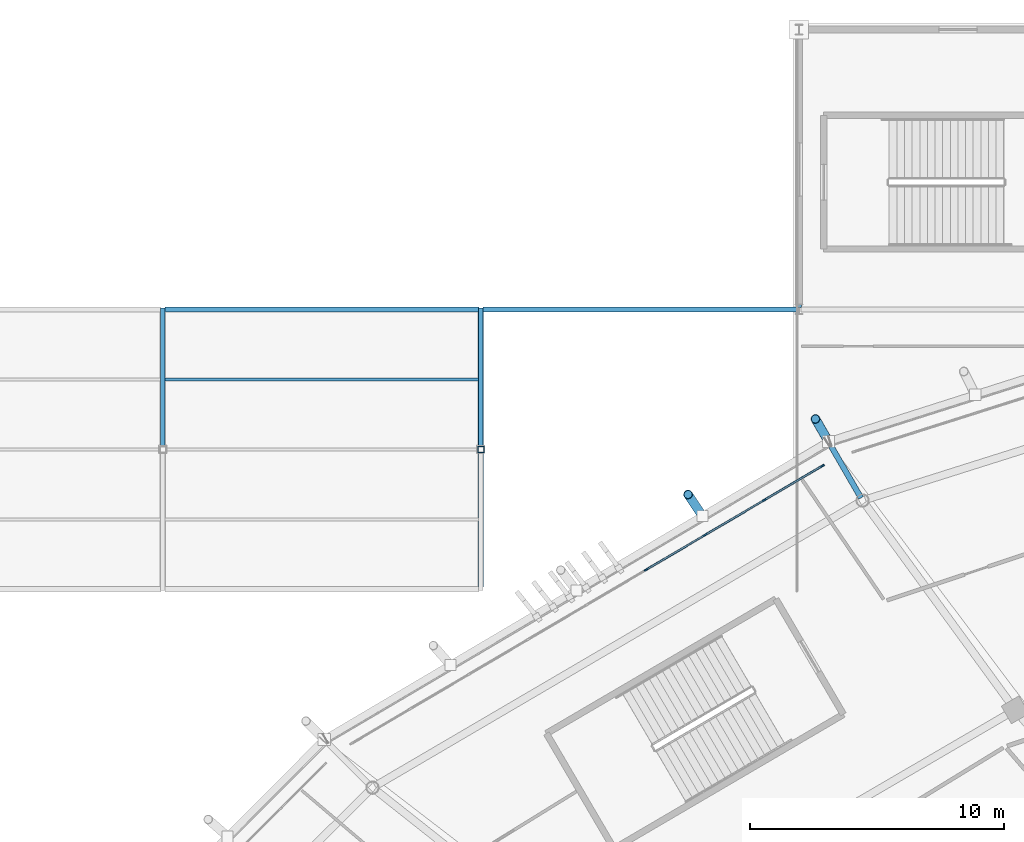
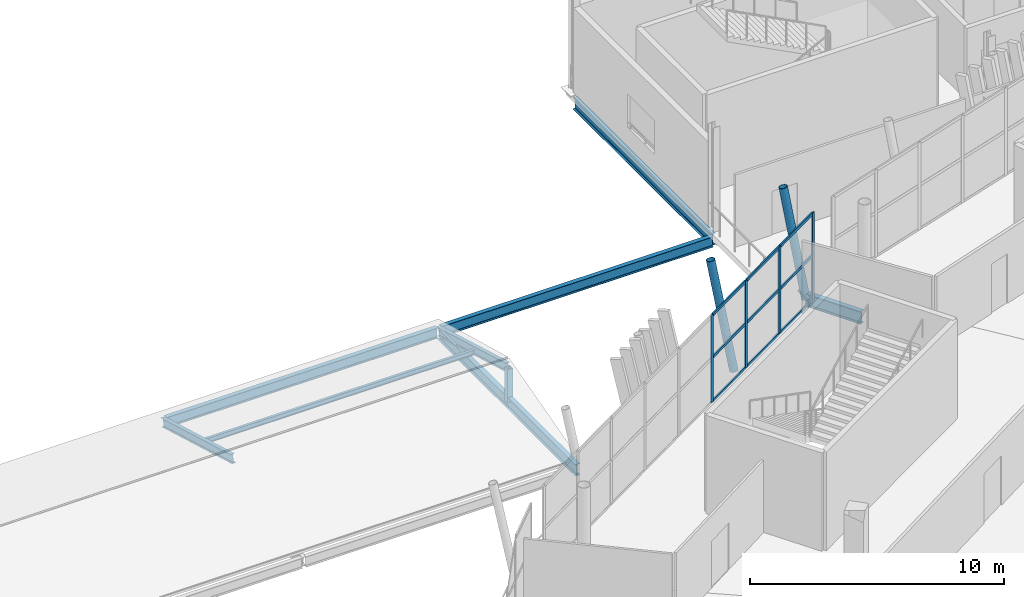
# One storey, part 72 of 179: 19 members, 5 beams, 1 element without a shape of its own.
"""IFC4 building model written with IfcOpenShell, lengths in metres."""

from ifc_helpers import new_model, si_unit, direction, frame, origin, origin_2d, place, context, subcontext, project, spatial, rectangle, hollow_rectangle, hollow_circle, i_section, extrude, material, material_profile, profile_set, type_object, element, aggregate, save


model = new_model("IFC4")

# Units and contexts
model_context = context("Model", 3, precision=1e-05, world=origin(), true_north=direction((0.0, 1.0)))
body_context = subcontext(model_context, "Body", "Model", "MODEL_VIEW")
ifc_project = project(units=[si_unit("LENGTHUNIT", "METRE"), si_unit("AREAUNIT", "SQUARE_METRE"), si_unit("VOLUMEUNIT", "CUBIC_METRE"), si_unit("PLANEANGLEUNIT", "RADIAN"), si_unit("MASSUNIT", "GRAM", prefix="KILO")], contexts=[model_context])

# Site, building, storey
site_placement = place(None, origin())
site = spatial("IfcSite", under=ifc_project, at=site_placement, CompositionType="ELEMENT")
building_placement = place(site_placement, origin())
building = spatial("IfcBuilding", under=site, at=building_placement, Name="Zlatoyarsky Gate Stadium", CompositionType="ELEMENT")
storey_placement = place(building_placement, frame((0.0, 0.0, 10.60009765625)))
storey = spatial("IfcBuildingStorey", under=building, at=storey_placement, Name="L02", CompositionType="ELEMENT", Elevation=10.60009765625)

# Curtain wall, members
ifc_material_1 = material(Name="Thermally broken anodised aluminium curtain wall", Category="aluminium")
curtain_wall_type = type_object("IfcCurtainWallType", Name="UNITISED HOSPITALITY GLAZING L02", PredefinedType="USERDEFINED", material=ifc_material_1)
curtain_wall_placement = place(storey_placement, origin())
curtain_wall = element("IfcCurtainWall", 1, at=curtain_wall_placement, inside=storey, type_object=curtain_wall_type, Name="Curtain wall CW-L02-08", ObjectType="UNITISED GLAZING", PredefinedType="USERDEFINED")
ifc_material_2 = material(Name="Anodised aluminium 6063-T6", Category="aluminium")
ifc_material_profile_1 = material_profile(ifc_material_2, rectangle(XDim=0.06494140625, YDim=0.159912109375, at=origin_2d()), Name="ALU 65X160")
ifc_profile_set_1 = profile_set([ifc_material_profile_1], Name="Anodised aluminium 6063-T6")
member_type_1 = type_object("IfcMemberType", Name="ALUMINIUM MULLION 65X160", PredefinedType="MULLION", material=ifc_profile_set_1)
member_1_placement = place(storey_placement, frame((62.92431640625, 142.852294921875, 0.0), z_axis=(0.0, 0.0, 1.0), x_axis=(0.507882360945, -0.861426437626, 0.0)))
member_1 = element("IfcMember", 2, at=member_1_placement, type_object=member_type_1, Name="CW-UG2 mullion 1", PredefinedType="MULLION", context=body_context, shape_type="SweptSolid", body=[
    extrude(rectangle(XDim=0.06494140625, YDim=0.159912109375, at=origin_2d()), origin(), (0.0, 0.0, 1.0), 4.199951171875),
])
member_2_placement = place(storey_placement, frame((60.63330078125, 141.501708984375, 0.0), z_axis=(0.0, 0.0, 1.0), x_axis=(0.507882360945, -0.861426437626, 0.0)))
member_2 = element("IfcMember", 3, at=member_2_placement, type_object=member_type_1, Name="CW-UG2 mullion 2", PredefinedType="MULLION", context=body_context, shape_type="SweptSolid", body=[
    extrude(rectangle(XDim=0.06494140625, YDim=0.159912109375, at=origin_2d()), origin(), (0.0, 0.0, 1.0), 4.199951171875),
])
member_3_placement = place(storey_placement, frame((58.314697265625, 140.134765625, 0.0), z_axis=(0.0, 0.0, 1.0), x_axis=(0.507882360945, -0.861426437626, 0.0)))
member_3 = element("IfcMember", 4, at=member_3_placement, type_object=member_type_1, Name="CW-UG2 mullion 3", PredefinedType="MULLION", context=body_context, shape_type="SweptSolid", body=[
    extrude(rectangle(XDim=0.06494140625, YDim=0.159912109375, at=origin_2d()), origin(), (0.0, 0.0, 1.0), 4.199951171875),
])
member_4_placement = place(storey_placement, frame((55.995849609375, 138.767578125, 0.0), z_axis=(0.0, 0.0, 1.0), x_axis=(0.507882360945, -0.861426437626, 0.0)))
member_4 = element("IfcMember", 5, at=member_4_placement, type_object=member_type_1, Name="CW-UG2 mullion 4", PredefinedType="MULLION", context=body_context, shape_type="SweptSolid", body=[
    extrude(rectangle(XDim=0.06494140625, YDim=0.159912109375, at=origin_2d()), origin(), (0.0, 0.0, 1.0), 4.199951171875),
])
ifc_material_profile_2 = material_profile(ifc_material_2, rectangle(XDim=0.06494140625, YDim=0.139892578125, at=origin_2d()), Name="ALU 65X140")
ifc_profile_set_2 = profile_set([ifc_material_profile_2], Name="Anodised aluminium 6063-T6")
member_type_2 = type_object("IfcMemberType", Name="ALUMINIUM TRANSOM 65X140", PredefinedType="USERDEFINED", material=ifc_profile_set_2)
member_5_placement = place(storey_placement, frame((62.896240234375, 142.8359375, 0.032470703125), z_axis=(-0.861428189178, -0.507879390102, 0.0), x_axis=(0.507879390102, -0.861428189178, 0.0)))
member_5 = element("IfcMember", 6, at=member_5_placement, type_object=member_type_2, Name="CW-UG2 transom 1.1", ObjectType="TRANSOM", PredefinedType="USERDEFINED", context=body_context, shape_type="SweptSolid", body=[
    extrude(rectangle(XDim=0.06494140625, YDim=0.139892578125, at=origin_2d()), origin(), (0.0, 0.0, 1.0), 2.594482421875),
])
member_6_placement = place(storey_placement, frame((62.896240234375, 142.8359375, 2.14990234375), z_axis=(-0.861428189178, -0.507879390102, 0.0), x_axis=(0.507879390102, -0.861428189178, 0.0)))
member_6 = element("IfcMember", 7, at=member_6_placement, type_object=member_type_2, Name="CW-UG2 transom 1.2", ObjectType="TRANSOM", PredefinedType="USERDEFINED", context=body_context, shape_type="SweptSolid", body=[
    extrude(rectangle(XDim=0.06494140625, YDim=0.139892578125, at=origin_2d()), origin(), (0.0, 0.0, 1.0), 2.594482421875),
])
member_7_placement = place(storey_placement, frame((62.896240234375, 142.8359375, 4.16748046875), z_axis=(-0.861428189178, -0.507879390102, 0.0), x_axis=(0.507879390102, -0.861428189178, 0.0)))
member_7 = element("IfcMember", 8, at=member_7_placement, type_object=member_type_2, Name="CW-UG2 transom 1.3", ObjectType="TRANSOM", PredefinedType="USERDEFINED", context=body_context, shape_type="SweptSolid", body=[
    extrude(rectangle(XDim=0.06494140625, YDim=0.139892578125, at=origin_2d()), origin(), (0.0, 0.0, 1.0), 2.594482421875),
])
member_8_placement = place(storey_placement, frame((60.60546875, 141.4853515625, 0.032470703125), z_axis=(-0.861420118469, -0.507893078804, 0.0), x_axis=(0.507893078804, -0.861420118469, 0.0)))
member_8 = element("IfcMember", 9, at=member_8_placement, type_object=member_type_2, Name="CW-UG2 transom 2.1", ObjectType="TRANSOM", PredefinedType="USERDEFINED", context=body_context, shape_type="SweptSolid", body=[
    extrude(rectangle(XDim=0.06494140625, YDim=0.139892578125, at=origin_2d()), origin(), (0.0, 0.0, 1.0), 2.626953125),
])
member_9_placement = place(storey_placement, frame((60.60546875, 141.4853515625, 2.14990234375), z_axis=(-0.861420118469, -0.507893078804, 0.0), x_axis=(0.507893078804, -0.861420118469, 0.0)))
member_9 = element("IfcMember", 10, at=member_9_placement, type_object=member_type_2, Name="CW-UG2 transom 2.2", ObjectType="TRANSOM", PredefinedType="USERDEFINED", context=body_context, shape_type="SweptSolid", body=[
    extrude(rectangle(XDim=0.06494140625, YDim=0.139892578125, at=origin_2d()), origin(), (0.0, 0.0, 1.0), 2.626953125),
])
member_10_placement = place(storey_placement, frame((60.60546875, 141.4853515625, 4.16748046875), z_axis=(-0.861420118469, -0.507893078804, 0.0), x_axis=(0.507893078804, -0.861420118469, 0.0)))
member_10 = element("IfcMember", 11, at=member_10_placement, type_object=member_type_2, Name="CW-UG2 transom 2.3", ObjectType="TRANSOM", PredefinedType="USERDEFINED", context=body_context, shape_type="SweptSolid", body=[
    extrude(rectangle(XDim=0.06494140625, YDim=0.139892578125, at=origin_2d()), origin(), (0.0, 0.0, 1.0), 2.626953125),
])
member_11_placement = place(storey_placement, frame((58.28662109375, 140.1181640625, 0.032470703125), z_axis=(-0.861420118469, -0.507893078804, 0.0), x_axis=(0.507893078804, -0.861420118469, 0.0)))
member_11 = element("IfcMember", 12, at=member_11_placement, type_object=member_type_2, Name="CW-UG2 transom 3.1", ObjectType="TRANSOM", PredefinedType="USERDEFINED", context=body_context, shape_type="SweptSolid", body=[
    extrude(rectangle(XDim=0.06494140625, YDim=0.139892578125, at=origin_2d()), origin(), (0.0, 0.0, 1.0), 2.626953125),
])
member_12_placement = place(storey_placement, frame((58.28662109375, 140.1181640625, 2.14990234375), z_axis=(-0.861420118469, -0.507893078804, 0.0), x_axis=(0.507893078804, -0.861420118469, 0.0)))
member_12 = element("IfcMember", 13, at=member_12_placement, type_object=member_type_2, Name="CW-UG2 transom 3.2", ObjectType="TRANSOM", PredefinedType="USERDEFINED", context=body_context, shape_type="SweptSolid", body=[
    extrude(rectangle(XDim=0.06494140625, YDim=0.139892578125, at=origin_2d()), origin(), (0.0, 0.0, 1.0), 2.626953125),
])
member_13_placement = place(storey_placement, frame((58.28662109375, 140.1181640625, 4.16748046875), z_axis=(-0.861420118469, -0.507893078804, 0.0), x_axis=(0.507893078804, -0.861420118469, 0.0)))
member_13 = element("IfcMember", 14, at=member_13_placement, type_object=member_type_2, Name="CW-UG2 transom 3.3", ObjectType="TRANSOM", PredefinedType="USERDEFINED", context=body_context, shape_type="SweptSolid", body=[
    extrude(rectangle(XDim=0.06494140625, YDim=0.139892578125, at=origin_2d()), origin(), (0.0, 0.0, 1.0), 2.626953125),
])
aggregate(curtain_wall, [member_1, member_2, member_3, member_4, member_5, member_6, member_7, member_8, member_9, member_10, member_11, member_12, member_13])

# Beams
ifc_material_3 = material(Name="Steel S355", Category="steel")
ifc_material_profile_3 = material_profile(ifc_material_3, i_section(OverallWidth=0.219970703125, OverallDepth=0.60009765625, WebThickness=0.011962890625, FlangeThickness=0.01904296875, FilletRadius=0.02392578125, at=origin_2d()), Name="IPE 600")
ifc_profile_set_3 = profile_set([ifc_material_profile_3], Name="Steel S355")
beam_type_1 = type_object("IfcBeamType", Name="STEEL CANTILEVER FLOOR BEAM IPE 600", PredefinedType="BEAM", material=ifc_profile_set_3)
beam_placement = place(storey_placement, frame((64.43994140625, 141.591796875, -0.580078125), z_axis=(-0.499981548585, 0.866036056452, 0.0), x_axis=(-0.866036056452, -0.499981548585, 0.0)))
element("IfcBeam", 15, at=beam_placement, inside=storey, type_object=beam_type_1, Name="Beam B-IPE600 BM-L02-OUT-08", PredefinedType="BEAM", context=body_context, shape_type="SweptSolid", body=[
    extrude(i_section(OverallWidth=0.219970703125, OverallDepth=0.60009765625, WebThickness=0.011962890625, FlangeThickness=0.01904296875, FilletRadius=0.02392578125, at=origin_2d()), origin(), (0.0, 0.0, 1.0), 2.5556640625),
])
ifc_material_profile_4 = material_profile(ifc_material_3, i_section(OverallWidth=0.199951171875, OverallDepth=0.5, WebThickness=0.01025390625, FlangeThickness=0.01611328125, FilletRadius=0.02099609375, at=origin_2d()), Name="IPE 500")
ifc_profile_set_4 = profile_set([ifc_material_profile_4], Name="Steel S355")
beam_type_2 = type_object("IfcBeamType", Name="STEEL FLOOR BEAM IPE 500", PredefinedType="BEAM", material=ifc_profile_set_4)
for number, where, z_axis, x_axis, name in (
    (16, (37.080078125, 149.0, -0.530029296875), (1.0, 0.0, 0.0), (0.0, 1.0, 0.0), "Beam B-IPE500 BM-L02-WGX-4-P"),
    (17, (49.580078125, 149.0, -0.530029296875), (1.0, 0.0, 0.0), (0.0, 1.0, 0.0), "Beam B-IPE500 BM-L02-WGX-5-P"),
):
    element("IfcBeam", number, at=place(storey_placement, frame(where, z_axis=z_axis, x_axis=x_axis)), inside=storey, type_object=beam_type_2, Name=name, PredefinedType="BEAM", context=body_context, shape_type="SweptSolid", body=[
        extrude(i_section(OverallWidth=0.199951171875, OverallDepth=0.5, WebThickness=0.01025390625, FlangeThickness=0.01611328125, FilletRadius=0.02099609375, at=origin_2d()), origin(), (0.0, 0.0, 1.0), 12.33984375),
    ])
ifc_material_profile_5 = material_profile(ifc_material_3, i_section(OverallWidth=0.2099609375, OverallDepth=0.550048828125, WebThickness=0.010986328125, FlangeThickness=0.01708984375, FilletRadius=0.02392578125, at=origin_2d()), Name="IPE 550")
ifc_profile_set_5 = profile_set([ifc_material_profile_5], Name="Steel S355")
beam_type_3 = type_object("IfcBeamType", Name="STEEL FLOOR BEAM IPE 550", PredefinedType="BEAM", material=ifc_profile_set_5)
for number, where, z_axis, x_axis, name in (
    (18, (49.5, 138.080078125, -0.55517578125), (0.0, 1.0, 0.0), (-1.0, 0.0, 0.0), "Beam B-IPE550 BM-L02-WGY-5-N"),
    (19, (62.0, 149.080078125, -0.55517578125), (0.0, 1.0, 0.0), (-1.0, 0.0, 0.0), "Beam B-IPE550 BM-L02-WGY-6-P"),
):
    element("IfcBeam", number, at=place(storey_placement, frame(where, z_axis=z_axis, x_axis=x_axis)), inside=storey, type_object=beam_type_3, Name=name, PredefinedType="BEAM", context=body_context, shape_type="SweptSolid", body=[
        extrude(i_section(OverallWidth=0.2099609375, OverallDepth=0.550048828125, WebThickness=0.010986328125, FlangeThickness=0.01708984375, FilletRadius=0.02392578125, at=origin_2d()), origin(), (0.0, 0.0, 1.0), 10.83984375),
    ])

# Members
ifc_material_profile_6 = material_profile(ifc_material_3, hollow_circle(Radius=0.177734375, WallThickness=0.02001953125, at=origin_2d()), Name="CHS 355.6X20")
ifc_profile_set_6 = profile_set([ifc_material_profile_6], Name="Steel S355")
member_type_3 = type_object("IfcMemberType", Name="STEEL LEANING RIB RING STRUT CHS 355.6X20", PredefinedType="STRUT", material=ifc_profile_set_6)
member_14_placement = place(storey_placement, frame((63.162109375, 143.80517578125, -0.580078125), z_axis=(-0.100540139669, 0.174151593024, 0.97957281657), x_axis=(-0.866039032844, -0.499976393034, 0.0)))
element("IfcMember", 20, at=member_14_placement, inside=storey, type_object=member_type_3, Name="Leaning ring strut 08 L02 to L03", PredefinedType="STRUT", context=body_context, shape_type="SweptSolid", body=[
    extrude(hollow_circle(Radius=0.177734375, WallThickness=0.02001953125, at=origin_2d()), origin(), (0.0, 0.0, 1.0), 5.104248046875),
])
member_15_placement = place(storey_placement, frame((58.208251953125, 140.878173828125, -0.530029296875), z_axis=(-0.110949332058, 0.16616085823, 0.97983713693), x_axis=(-0.831644832177, -0.555307908384, 0.0)))
element("IfcMember", 21, at=member_15_placement, inside=storey, type_object=member_type_3, Name="Outward-leaning bowl louvre fin rib L02 08-1", PredefinedType="STRUT", context=body_context, shape_type="SweptSolid", body=[
    extrude(hollow_circle(Radius=0.177734375, WallThickness=0.02001953125, at=origin_2d()), origin(), (0.0, 0.0, 1.0), 5.102783203125),
])
ifc_material_profile_7 = material_profile(ifc_material_3, i_section(OverallWidth=0.1201171875, OverallDepth=0.239990234375, WebThickness=0.006103515625, FlangeThickness=0.009765625, FilletRadius=0.014892578125, at=origin_2d()), Name="IPE 240")
ifc_profile_set_7 = profile_set([ifc_material_profile_7], Name="Steel S355")
member_type_4 = type_object("IfcMemberType", Name="STEEL PAVILION ROOF PURLIN IPE 240", PredefinedType="PURLIN", material=ifc_profile_set_7)
member_16_placement = place(storey_placement, frame((37.0, 146.25, 0.14501953125), z_axis=(1.0, 0.0, 0.0), x_axis=(0.0, 1.0, 0.0)))
element("IfcMember", 22, at=member_16_placement, inside=storey, type_object=member_type_4, Name="V6_NW roof purlin 2N", PredefinedType="PURLIN", context=body_context, shape_type="SweptSolid", body=[
    extrude(i_section(OverallWidth=0.1201171875, OverallDepth=0.239990234375, WebThickness=0.006103515625, FlangeThickness=0.009765625, FilletRadius=0.014892578125, at=origin_2d()), origin(), (0.0, 0.0, 1.0), 12.5),
])
ifc_material_profile_8 = material_profile(ifc_material_3, i_section(OverallWidth=0.179931640625, OverallDepth=0.39990234375, WebThickness=0.008544921875, FlangeThickness=0.013427734375, FilletRadius=0.02099609375, at=origin_2d()), Name="IPE 400")
ifc_profile_set_8 = profile_set([ifc_material_profile_8], Name="Steel S355")
member_type_5 = type_object("IfcMemberType", Name="STEEL PAVILION ROOF RAFTER IPE 400", PredefinedType="RAFTER", material=ifc_profile_set_8)
for number, where, z_axis, x_axis, name in (
    (23, (37.0, 149.0, -0.5), (0.0, -0.961598006641, 0.274461789005), (1.0, 0.0, 0.0), "V6_NW roof rafter 2B"),
    (24, (49.5, 149.0, -0.5), (0.0, -0.961598006641, 0.274461789005), (1.0, 0.0, 0.0), "V6_NW roof rafter 3B"),
):
    element("IfcMember", number, at=place(storey_placement, frame(where, z_axis=z_axis, x_axis=x_axis)), inside=storey, type_object=member_type_5, Name=name, PredefinedType="RAFTER", context=body_context, shape_type="SweptSolid", body=[
        extrude(i_section(OverallWidth=0.179931640625, OverallDepth=0.39990234375, WebThickness=0.008544921875, FlangeThickness=0.013427734375, FilletRadius=0.02099609375, at=origin_2d()), origin(), (0.0, 0.0, 1.0), 5.7197265625),
    ])
ifc_material_profile_9 = material_profile(ifc_material_3, hollow_rectangle(XDim=0.25, YDim=0.25, WallThickness=0.01611328125, at=origin_2d()), Name="SHS 250X250X16")
ifc_profile_set_9 = profile_set([ifc_material_profile_9], Name="Steel S355")
member_type_6 = type_object("IfcMemberType", Name="STEEL PAVILION TRUSS STRUT SHS 250X250X16", PredefinedType="STRUT", material=ifc_profile_set_9)
member_17_placement = place(storey_placement, frame((49.5, 143.5, -0.530029296875), z_axis=(0.0, 0.0, 1.0), x_axis=(1.0, 0.0, 0.0)))
element("IfcMember", 25, at=member_17_placement, inside=storey, type_object=member_type_6, Name="V6_NW king post strut 3", PredefinedType="STRUT", context=body_context, shape_type="SweptSolid", body=[
    extrude(hollow_rectangle(XDim=0.25, YDim=0.25, WallThickness=0.01611328125, at=origin_2d()), origin(), (0.0, 0.0, 1.0), 1.599853515625),
])

save(model, "model.ifc")
